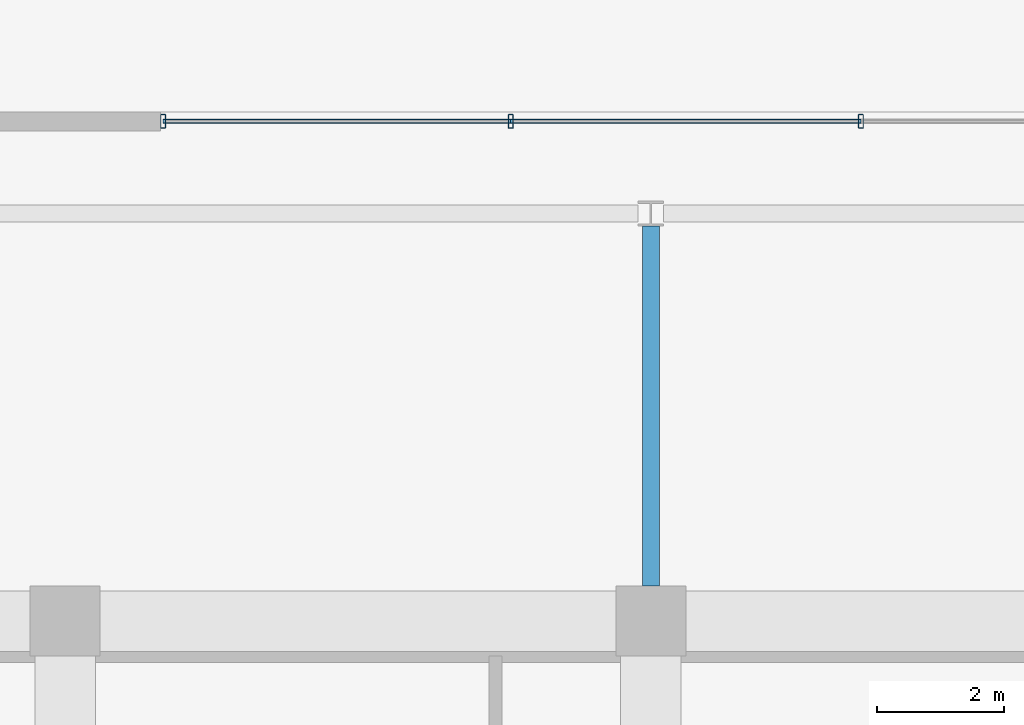
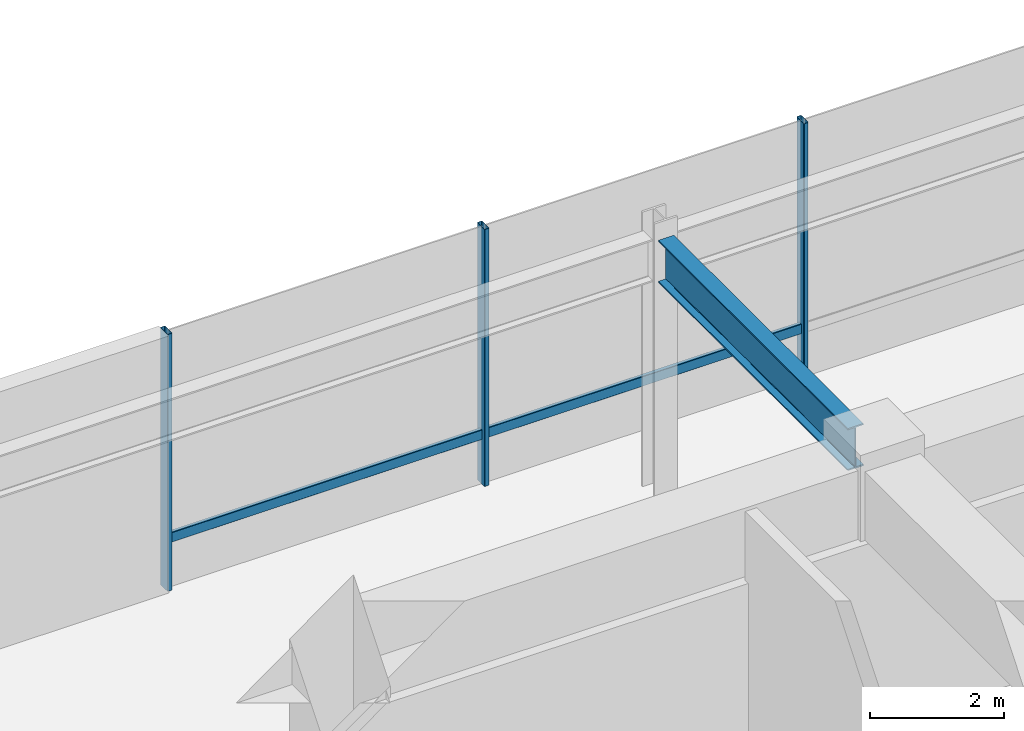
# One storey, part 14 of 38: 5 members, 1 beam, 1 element without a shape of its own.
"""IFC4 building model written with IfcOpenShell, lengths in metres."""

from ifc_helpers import new_model, si_unit, direction, frame, origin, origin_2d, place, context, subcontext, project, spatial, hollow_rectangle, i_section, extrude, material, layer, layer_set, material_profile, profile_set, type_object, element, aggregate, save


model = new_model("IFC4")

# Units and contexts
model_context = context("Model", 3, precision=1e-05, world=origin(), true_north=direction((0.0, 1.0)))
body_context = subcontext(model_context, "Body", "Model", "MODEL_VIEW")
ifc_project = project(units=[si_unit("LENGTHUNIT", "METRE"), si_unit("AREAUNIT", "SQUARE_METRE"), si_unit("VOLUMEUNIT", "CUBIC_METRE"), si_unit("PLANEANGLEUNIT", "RADIAN"), si_unit("MASSUNIT", "GRAM", prefix="KILO")], contexts=[model_context])

# Site, building, storey
site_placement = place(None, origin())
site = spatial("IfcSite", under=ifc_project, at=site_placement, CompositionType="ELEMENT")
building_placement = place(site_placement, origin())
building = spatial("IfcBuilding", under=site, at=building_placement, Name="Korimba Cascade Residences", CompositionType="ELEMENT")
storey_placement = place(building_placement, frame((0.0, 0.0, 19.0)))
storey = spatial("IfcBuildingStorey", under=building, at=storey_placement, Name="L04", CompositionType="ELEMENT", Elevation=19.0)

# Beam
ifc_material_1 = material(Name="Steel S355", Category="steel")
ifc_material_profile_1 = material_profile(ifc_material_1, i_section(OverallWidth=0.26806640625, OverallDepth=0.769775390625, WebThickness=0.015625, FlangeThickness=0.025390625, FilletRadius=0.0166015625, at=origin_2d()), Name="Steel S355")
ifc_profile_set_1 = profile_set([ifc_material_profile_1], Name="Steel S355")
beam_type = type_object("IfcBeamType", Name="BM-STL-UB762", PredefinedType="BEAM", material=ifc_profile_set_1)
beam_placement = place(storey_placement, frame((93.699951171875, 91.75, 4.295166015625), z_axis=(0.0, 1.0, 0.0), x_axis=(-1.0, 0.0, 0.0)))
element("IfcBeam", 1, at=beam_placement, inside=storey, type_object=beam_type, Name="L04 Podium Frame Girder N2", PredefinedType="BEAM", context=body_context, shape_type="SweptSolid", body=[
    extrude(i_section(OverallWidth=0.26806640625, OverallDepth=0.769775390625, WebThickness=0.015625, FlangeThickness=0.025390625, FilletRadius=0.0166015625, at=origin_2d()), origin(), (0.0, 0.0, 1.0), 5.6533203125),
])

# Curtain wall, members
ifc_material_2 = material(Name="Anodised Aluminium Curtain Wall Framing", Category="aluminium")
ifc_layer = layer(ifc_material_2, 0.179931640625)
ifc_layer_set = layer_set([ifc_layer], Name="Anodised Aluminium Curtain Wall Framing")
curtain_wall_type = type_object("IfcCurtainWallType", Name="CW-POD-SYS1", PredefinedType="NOTDEFINED", material=ifc_layer_set)
curtain_wall_placement = place(storey_placement, origin())
curtain_wall = element("IfcCurtainWall", 2, at=curtain_wall_placement, inside=storey, type_object=curtain_wall_type, Name="L04 Curtain Wall CW-L04-POD-N", PredefinedType="NOTDEFINED")
ifc_material_3 = material(Name="Anodised Aluminium Mullion", Category="aluminium")
ifc_material_profile_2 = material_profile(ifc_material_3, hollow_rectangle(XDim=0.080078125, YDim=0.219970703125, WallThickness=0.00634765625, InnerFilletRadius=0.00634765625, OuterFilletRadius=0.0126953125, at=origin_2d()), Name="Anodised Aluminium Mullion")
ifc_profile_set_2 = profile_set([ifc_material_profile_2], Name="Anodised Aluminium Mullion")
member_type_1 = type_object("IfcMemberType", Name="CWM-MUL-220", PredefinedType="MULLION", material=ifc_profile_set_2)
member_1_placement = place(storey_placement, frame((97.0, 99.050048828125, 0.0), z_axis=(0.0, 0.0, 1.0), x_axis=(-1.0, 0.0, 0.0)))
member_1 = element("IfcMember", 3, at=member_1_placement, type_object=member_type_1, Name="CW-L04-POD-N Mullion 3", PredefinedType="MULLION", context=body_context, shape_type="SweptSolid", body=[
    extrude(hollow_rectangle(XDim=0.080078125, YDim=0.219970703125, WallThickness=0.00634765625, InnerFilletRadius=0.00634765625, OuterFilletRadius=0.0126953125, at=origin_2d()), origin(), (0.0, 0.0, 1.0), 4.679931640625),
])
member_2_placement = place(storey_placement, frame((91.5, 99.050048828125, 0.0), z_axis=(0.0, 0.0, 1.0), x_axis=(-1.0, 0.0, 0.0)))
member_2 = element("IfcMember", 4, at=member_2_placement, type_object=member_type_1, Name="CW-L04-POD-N Mullion 4", PredefinedType="MULLION", context=body_context, shape_type="SweptSolid", body=[
    extrude(hollow_rectangle(XDim=0.080078125, YDim=0.219970703125, WallThickness=0.00634765625, InnerFilletRadius=0.00634765625, OuterFilletRadius=0.0126953125, at=origin_2d()), origin(), (0.0, 0.0, 1.0), 4.679931640625),
])
member_3_placement = place(storey_placement, frame((86.0400390625, 99.050048828125, 0.0), z_axis=(0.0, 0.0, 1.0), x_axis=(-1.0, 0.0, 0.0)))
member_3 = element("IfcMember", 5, at=member_3_placement, type_object=member_type_1, Name="CW-L04-POD-N Mullion 5", PredefinedType="MULLION", context=body_context, shape_type="SweptSolid", body=[
    extrude(hollow_rectangle(XDim=0.080078125, YDim=0.219970703125, WallThickness=0.00634765625, InnerFilletRadius=0.00634765625, OuterFilletRadius=0.0126953125, at=origin_2d()), origin(), (0.0, 0.0, 1.0), 4.679931640625),
])
ifc_material_4 = material(Name="Anodised Aluminium Transom", Category="aluminium")
ifc_material_profile_3 = material_profile(ifc_material_4, hollow_rectangle(XDim=0.070068359375, YDim=0.179931640625, WallThickness=0.0048828125, InnerFilletRadius=0.0048828125, OuterFilletRadius=0.010009765625, at=origin_2d()), Name="Anodised Aluminium Transom")
ifc_profile_set_3 = profile_set([ifc_material_profile_3], Name="Anodised Aluminium Transom")
member_type_2 = type_object("IfcMemberType", Name="CWM-TRN-150", PredefinedType="USERDEFINED", material=ifc_profile_set_3)
member_4_placement = place(storey_placement, frame((97.0, 99.050048828125, 0.89990234375), z_axis=(-1.0, 0.0, 0.0), x_axis=(0.0, -1.0, 0.0)))
member_4 = element("IfcMember", 6, at=member_4_placement, type_object=member_type_2, Name="CW-L04-POD-N Transom 3", ObjectType="TRANSOM", PredefinedType="USERDEFINED", context=body_context, shape_type="SweptSolid", body=[
    extrude(hollow_rectangle(XDim=0.070068359375, YDim=0.179931640625, WallThickness=0.0048828125, InnerFilletRadius=0.0048828125, OuterFilletRadius=0.010009765625, at=origin_2d()), origin(), (0.0, 0.0, 1.0), 5.5),
])
member_5_placement = place(storey_placement, frame((91.5, 99.050048828125, 0.89990234375), z_axis=(-1.0, 0.0, 0.0), x_axis=(0.0, -1.0, 0.0)))
member_5 = element("IfcMember", 7, at=member_5_placement, type_object=member_type_2, Name="CW-L04-POD-N Transom 4", ObjectType="TRANSOM", PredefinedType="USERDEFINED", context=body_context, shape_type="SweptSolid", body=[
    extrude(hollow_rectangle(XDim=0.070068359375, YDim=0.179931640625, WallThickness=0.0048828125, InnerFilletRadius=0.0048828125, OuterFilletRadius=0.010009765625, at=origin_2d()), origin(), (0.0, 0.0, 1.0), 5.4599609375),
])
aggregate(curtain_wall, [member_1, member_2, member_3, member_4, member_5])

save(model, "model.ifc")
